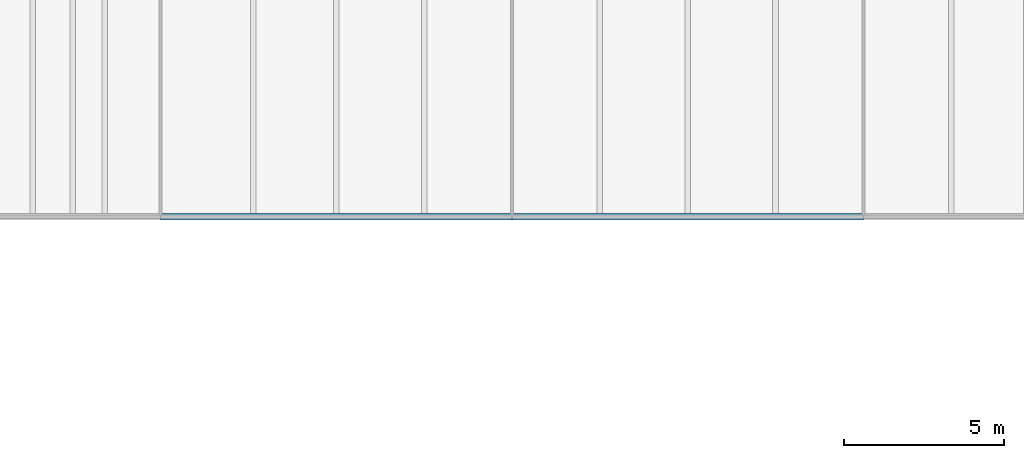
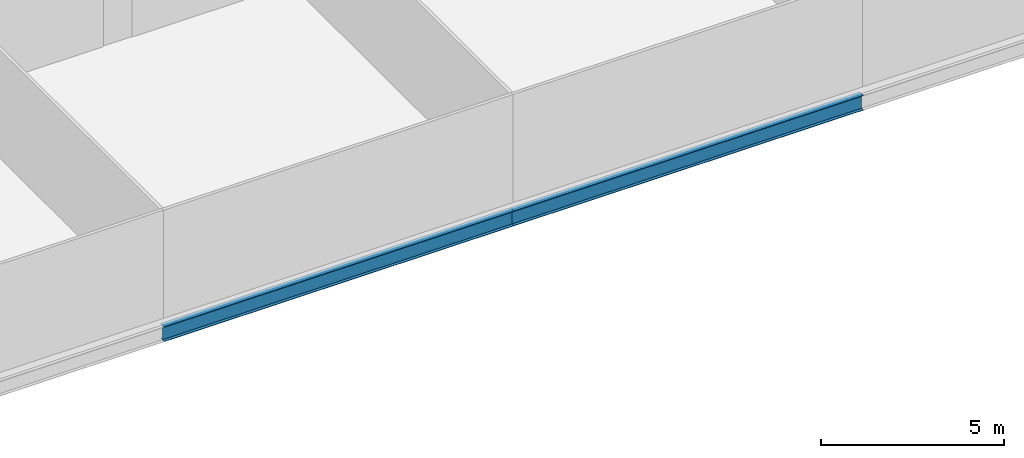
# One storey, part 70 of 170: 2 beams.
"""IFC4 building model written with IfcOpenShell, lengths in metres."""

from ifc_helpers import new_model, si_unit, direction, frame, origin, origin_2d, place, context, subcontext, project, spatial, i_section, extrude, material, material_profile, profile_set, type_object, element, save


model = new_model("IFC4")

# Units and contexts
model_context = context("Model", 3, precision=1e-05, world=origin(), true_north=direction((0.0, 1.0)))
body_context = subcontext(model_context, "Body", "Model", "MODEL_VIEW")
ifc_project = project(units=[si_unit("LENGTHUNIT", "METRE"), si_unit("AREAUNIT", "SQUARE_METRE"), si_unit("VOLUMEUNIT", "CUBIC_METRE"), si_unit("PLANEANGLEUNIT", "RADIAN"), si_unit("MASSUNIT", "GRAM", prefix="KILO")], contexts=[model_context])

# Site, building, storey
site_placement = place(None, origin())
site = spatial("IfcSite", under=ifc_project, at=site_placement, CompositionType="ELEMENT")
building_placement = place(site_placement, origin())
building = spatial("IfcBuilding", under=site, at=building_placement, Name="Ravi Spectrum Wholesale Market", CompositionType="ELEMENT")
storey_placement = place(building_placement, frame((0.0, 0.0, 5.39990234375)))
storey = spatial("IfcBuildingStorey", under=building, at=storey_placement, Name="L01", CompositionType="ELEMENT", Elevation=5.39990234375)

# Beams
ifc_material = material(Name="Steel S355", Category="steel")
ifc_material_profile = material_profile(ifc_material, i_section(OverallWidth=0.199951171875, OverallDepth=0.5, WebThickness=0.01025390625, FlangeThickness=0.01611328125, at=origin_2d()))
ifc_profile_set = profile_set([ifc_material_profile], Name="Steel S355")
beam_type = type_object("IfcBeamType", Name="IPE 500 girder", PredefinedType="BEAM", material=ifc_profile_set)
for number, where, z_axis, x_axis, name in (
    (1, (70.0, 171.0, -0.5), (1.0, 0.0, 0.0), (0.0, 1.0, 0.0), "H1-BM-L01-004"),
    (2, (81.0, 171.0, -0.5), (1.0, 0.0, 0.0), (0.0, 1.0, 0.0), "H1-BM-L01-005"),
):
    element("IfcBeam", number, at=place(storey_placement, frame(where, z_axis=z_axis, x_axis=x_axis)), inside=storey, type_object=beam_type, Name=name, PredefinedType="BEAM", context=body_context, shape_type="SweptSolid", body=[
        extrude(i_section(OverallWidth=0.199951171875, OverallDepth=0.5, WebThickness=0.01025390625, FlangeThickness=0.01611328125, at=origin_2d()), origin(), (0.0, 0.0, 1.0), 11.0),
    ])

save(model, "model.ifc")
